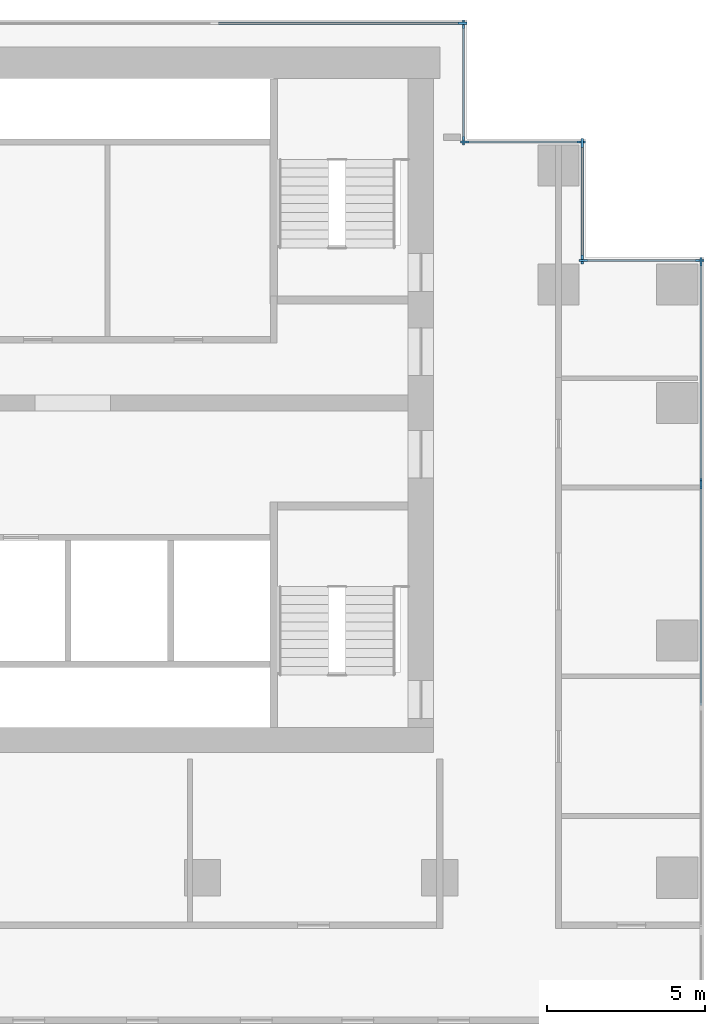
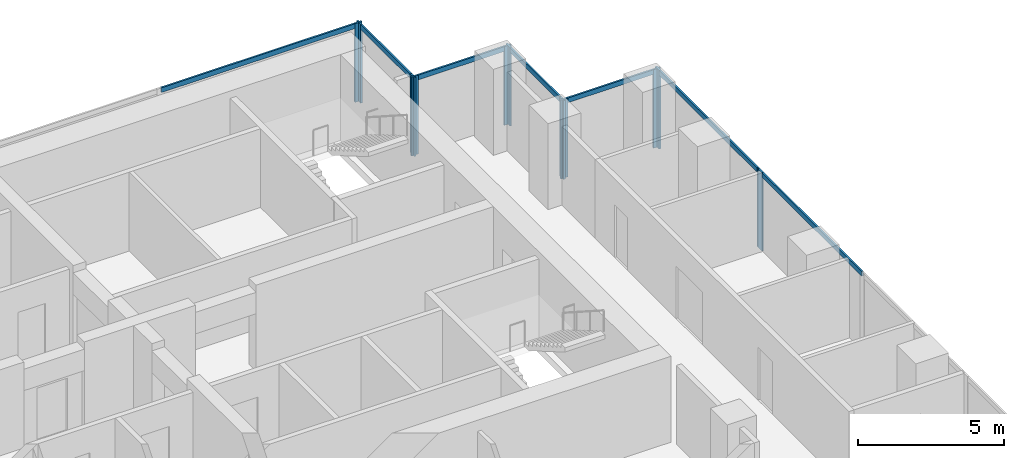
# One storey, part 5 of 10: 19 members, 7 elements without a shape of their own.
"""IFC4 building model written with IfcOpenShell, lengths in metres."""

from ifc_helpers import new_model, si_unit, direction, frame, origin, origin_2d, place, context, subcontext, project, spatial, rectangle, extrude, material, material_profile, profile_set, type_object, element, aggregate, save


model = new_model("IFC4")

# Units and contexts
model_context = context("Model", 3, precision=1e-05, world=origin(), true_north=direction((0.0, 1.0)))
body_context = subcontext(model_context, "Body", "Model", "MODEL_VIEW")
ifc_project = project(units=[si_unit("LENGTHUNIT", "METRE"), si_unit("AREAUNIT", "SQUARE_METRE"), si_unit("VOLUMEUNIT", "CUBIC_METRE"), si_unit("PLANEANGLEUNIT", "RADIAN"), si_unit("MASSUNIT", "GRAM", prefix="KILO")], contexts=[model_context])

# Site, building, storey
site_placement = place(None, origin())
site = spatial("IfcSite", under=ifc_project, at=site_placement, CompositionType="ELEMENT")
building_placement = place(site_placement, origin())
building = spatial("IfcBuilding", under=site, at=building_placement, Name="Pilkhan Gate Tower", CompositionType="ELEMENT")
storey_placement = place(building_placement, frame((0.0, 0.0, 107.199951171875)))
storey = spatial("IfcBuildingStorey", under=building, at=storey_placement, Name="L26", CompositionType="ELEMENT", Elevation=107.199951171875)

# Curtain wall, member
ifc_material_1 = material(Name="Pale anodised aluminium, clear low-iron double glazing", Category="aluminium")
curtain_wall_type = type_object("IfcCurtainWallType", Name="Office unitised curtain wall CW-O1", PredefinedType="USERDEFINED", material=ifc_material_1)
curtain_wall_1_placement = place(storey_placement, origin())
curtain_wall_1 = element("IfcCurtainWall", 1, at=curtain_wall_1_placement, inside=storey, type_object=curtain_wall_type, Name="Office unitised curtain wall CW-O1 L26 E", ObjectType="UNITISED CURTAIN WALL", PredefinedType="USERDEFINED")
ifc_material_2 = material(Name="Pale anodised aluminium", Category="aluminium")
ifc_material_profile_1 = material_profile(ifc_material_2, rectangle(XDim=0.070068359375, YDim=0.27490234375, at=origin_2d()), Name="Mullion 275x70")
ifc_profile_set_1 = profile_set([ifc_material_profile_1], Name="Pale anodised aluminium")
member_type_1 = type_object("IfcMemberType", Name="Mullion CW-O1 275x70", PredefinedType="MULLION", material=ifc_profile_set_1)
member_1_placement = place(storey_placement, frame((98.25, 79.9150390625, 0.0), z_axis=(0.0, 0.0, 1.0), x_axis=(-1.0, 0.0, 0.0)))
member_1 = element("IfcMember", 2, at=member_1_placement, type_object=member_type_1, Name="CW-O1 mullion 3", PredefinedType="MULLION", context=body_context, shape_type="SweptSolid", body=[
    extrude(rectangle(XDim=0.070068359375, YDim=0.27490234375, at=origin_2d()), origin(), (0.0, 0.0, 1.0), 3.300048828125),
])

# Curtain wall, members
curtain_wall_2_placement = place(storey_placement, origin())
curtain_wall_2 = element("IfcCurtainWall", 3, at=curtain_wall_2_placement, inside=storey, type_object=curtain_wall_type, Name="Office unitised curtain wall CW-O1 L26 E", ObjectType="UNITISED CURTAIN WALL", PredefinedType="USERDEFINED")
member_2_placement = place(storey_placement, frame((98.25, 79.985107421875, 0.0), z_axis=(0.0, 0.0, 1.0), x_axis=(-1.0, 0.0, 0.0)))
member_2 = element("IfcMember", 4, at=member_2_placement, type_object=member_type_1, Name="CW-O1 mullion 1", PredefinedType="MULLION", context=body_context, shape_type="SweptSolid", body=[
    extrude(rectangle(XDim=0.070068359375, YDim=0.27490234375, at=origin_2d()), origin(), (0.0, 0.0, 1.0), 3.300048828125),
])
member_3_placement = place(storey_placement, frame((98.25, 86.965087890625, 0.0), z_axis=(0.0, 0.0, 1.0), x_axis=(-1.0, 0.0, 0.0)))
member_3 = element("IfcMember", 5, at=member_3_placement, type_object=member_type_1, Name="CW-O1 mullion 2", PredefinedType="MULLION", context=body_context, shape_type="SweptSolid", body=[
    extrude(rectangle(XDim=0.070068359375, YDim=0.27490234375, at=origin_2d()), origin(), (0.0, 0.0, 1.0), 3.300048828125),
])

curtain_wall_3_placement = place(storey_placement, origin())
curtain_wall_3 = element("IfcCurtainWall", 6, at=curtain_wall_3_placement, inside=storey, type_object=curtain_wall_type, Name="Office unitised curtain wall CW-O1 L26 N", ObjectType="UNITISED CURTAIN WALL", PredefinedType="USERDEFINED")
member_4_placement = place(storey_placement, frame((94.534912109375, 87.0, 0.0), z_axis=(0.0, 0.0, 1.0), x_axis=(0.0, 1.0, 0.0)))
member_4 = element("IfcMember", 7, at=member_4_placement, type_object=member_type_1, Name="CW-O1 mullion 1", PredefinedType="MULLION", context=body_context, shape_type="SweptSolid", body=[
    extrude(rectangle(XDim=0.070068359375, YDim=0.27490234375, at=origin_2d()), origin(), (0.0, 0.0, 1.0), 3.300048828125),
])
member_5_placement = place(storey_placement, frame((98.215087890625, 87.0, 0.0), z_axis=(0.0, 0.0, 1.0), x_axis=(0.0, 1.0, 0.0)))
member_5 = element("IfcMember", 8, at=member_5_placement, type_object=member_type_1, Name="CW-O1 mullion 2", PredefinedType="MULLION", context=body_context, shape_type="SweptSolid", body=[
    extrude(rectangle(XDim=0.070068359375, YDim=0.27490234375, at=origin_2d()), origin(), (0.0, 0.0, 1.0), 3.300048828125),
])

curtain_wall_4_placement = place(storey_placement, origin())
curtain_wall_4 = element("IfcCurtainWall", 9, at=curtain_wall_4_placement, inside=storey, type_object=curtain_wall_type, Name="Office unitised curtain wall CW-O1 L26 E", ObjectType="UNITISED CURTAIN WALL", PredefinedType="USERDEFINED")
member_6_placement = place(storey_placement, frame((94.5, 87.034912109375, 0.0), z_axis=(0.0, 0.0, 1.0), x_axis=(-1.0, 0.0, 0.0)))
member_6 = element("IfcMember", 10, at=member_6_placement, type_object=member_type_1, Name="CW-O1 mullion 1", PredefinedType="MULLION", context=body_context, shape_type="SweptSolid", body=[
    extrude(rectangle(XDim=0.070068359375, YDim=0.27490234375, at=origin_2d()), origin(), (0.0, 0.0, 1.0), 3.300048828125),
])
member_7_placement = place(storey_placement, frame((94.5, 90.715087890625, 0.0), z_axis=(0.0, 0.0, 1.0), x_axis=(-1.0, 0.0, 0.0)))
member_7 = element("IfcMember", 11, at=member_7_placement, type_object=member_type_1, Name="CW-O1 mullion 2", PredefinedType="MULLION", context=body_context, shape_type="SweptSolid", body=[
    extrude(rectangle(XDim=0.070068359375, YDim=0.27490234375, at=origin_2d()), origin(), (0.0, 0.0, 1.0), 3.300048828125),
])

curtain_wall_5_placement = place(storey_placement, origin())
curtain_wall_5 = element("IfcCurtainWall", 12, at=curtain_wall_5_placement, inside=storey, type_object=curtain_wall_type, Name="Office unitised curtain wall CW-O1 L26 N", ObjectType="UNITISED CURTAIN WALL", PredefinedType="USERDEFINED")
member_8_placement = place(storey_placement, frame((90.784912109375, 90.75, 0.0), z_axis=(0.0, 0.0, 1.0), x_axis=(0.0, 1.0, 0.0)))
member_8 = element("IfcMember", 13, at=member_8_placement, type_object=member_type_1, Name="CW-O1 mullion 1", PredefinedType="MULLION", context=body_context, shape_type="SweptSolid", body=[
    extrude(rectangle(XDim=0.070068359375, YDim=0.27490234375, at=origin_2d()), origin(), (0.0, 0.0, 1.0), 3.300048828125),
])
member_9_placement = place(storey_placement, frame((94.465087890625, 90.75, 0.0), z_axis=(0.0, 0.0, 1.0), x_axis=(0.0, 1.0, 0.0)))
member_9 = element("IfcMember", 14, at=member_9_placement, type_object=member_type_1, Name="CW-O1 mullion 2", PredefinedType="MULLION", context=body_context, shape_type="SweptSolid", body=[
    extrude(rectangle(XDim=0.070068359375, YDim=0.27490234375, at=origin_2d()), origin(), (0.0, 0.0, 1.0), 3.300048828125),
])

curtain_wall_6_placement = place(storey_placement, origin())
curtain_wall_6 = element("IfcCurtainWall", 15, at=curtain_wall_6_placement, inside=storey, type_object=curtain_wall_type, Name="Office unitised curtain wall CW-O1 L26 E", ObjectType="UNITISED CURTAIN WALL", PredefinedType="USERDEFINED")
member_10_placement = place(storey_placement, frame((90.75, 90.784912109375, 0.0), z_axis=(0.0, 0.0, 1.0), x_axis=(-1.0, 0.0, 0.0)))
member_10 = element("IfcMember", 16, at=member_10_placement, type_object=member_type_1, Name="CW-O1 mullion 1", PredefinedType="MULLION", context=body_context, shape_type="SweptSolid", body=[
    extrude(rectangle(XDim=0.070068359375, YDim=0.27490234375, at=origin_2d()), origin(), (0.0, 0.0, 1.0), 3.300048828125),
])
member_11_placement = place(storey_placement, frame((90.75, 94.465087890625, 0.0), z_axis=(0.0, 0.0, 1.0), x_axis=(-1.0, 0.0, 0.0)))
member_11 = element("IfcMember", 17, at=member_11_placement, type_object=member_type_1, Name="CW-O1 mullion 2", PredefinedType="MULLION", context=body_context, shape_type="SweptSolid", body=[
    extrude(rectangle(XDim=0.070068359375, YDim=0.27490234375, at=origin_2d()), origin(), (0.0, 0.0, 1.0), 3.300048828125),
])

# Curtain wall, member
curtain_wall_7_placement = place(storey_placement, origin())
curtain_wall_7 = element("IfcCurtainWall", 18, at=curtain_wall_7_placement, inside=storey, type_object=curtain_wall_type, Name="Office unitised curtain wall CW-O1 L26 N", ObjectType="UNITISED CURTAIN WALL", PredefinedType="USERDEFINED")
member_12_placement = place(storey_placement, frame((90.715087890625, 94.5, 0.0), z_axis=(0.0, 0.0, 1.0), x_axis=(0.0, 1.0, 0.0)))
member_12 = element("IfcMember", 19, at=member_12_placement, type_object=member_type_1, Name="CW-O1 mullion 3", PredefinedType="MULLION", context=body_context, shape_type="SweptSolid", body=[
    extrude(rectangle(XDim=0.070068359375, YDim=0.27490234375, at=origin_2d()), origin(), (0.0, 0.0, 1.0), 3.300048828125),
])

# Member
ifc_material_profile_2 = material_profile(ifc_material_2, rectangle(XDim=0.070068359375, YDim=0.199951171875, at=origin_2d()), Name="Transom 200x70")
ifc_profile_set_2 = profile_set([ifc_material_profile_2], Name="Pale anodised aluminium")
member_type_2 = type_object("IfcMemberType", Name="Transom CW-O1 200x70", PredefinedType="USERDEFINED", material=ifc_profile_set_2)
member_13_placement = place(storey_placement, frame((98.25, 72.93505859375, 3.199951171875), z_axis=(0.0, 1.0, 0.0), x_axis=(-1.0, 0.0, 0.0)))
member_13 = element("IfcMember", 20, at=member_13_placement, type_object=member_type_2, Name="CW-O1 transom 2", ObjectType="TRANSOM", PredefinedType="USERDEFINED", context=body_context, shape_type="SweptSolid", body=[
    extrude(rectangle(XDim=0.070068359375, YDim=0.199951171875, at=origin_2d()), origin(), (0.0, 0.0, 1.0), 6.94482421875),
])

aggregate(curtain_wall_1, [member_1, member_13])

member_14_placement = place(storey_placement, frame((98.25, 80.02001953125, 3.199951171875), z_axis=(0.0, 1.0, 0.0), x_axis=(-1.0, 0.0, 0.0)))
member_14 = element("IfcMember", 21, at=member_14_placement, type_object=member_type_2, Name="CW-O1 transom 1", ObjectType="TRANSOM", PredefinedType="USERDEFINED", context=body_context, shape_type="SweptSolid", body=[
    extrude(rectangle(XDim=0.070068359375, YDim=0.199951171875, at=origin_2d()), origin(), (0.0, 0.0, 1.0), 6.909912109375),
])

aggregate(curtain_wall_2, [member_2, member_3, member_14])

member_15_placement = place(storey_placement, frame((94.570068359375, 87.0, 3.199951171875), z_axis=(1.0, 0.0, 0.0), x_axis=(0.0, 1.0, 0.0)))
member_15 = element("IfcMember", 22, at=member_15_placement, type_object=member_type_2, Name="CW-O1 transom 1", ObjectType="TRANSOM", PredefinedType="USERDEFINED", context=body_context, shape_type="SweptSolid", body=[
    extrude(rectangle(XDim=0.070068359375, YDim=0.199951171875, at=origin_2d()), origin(), (0.0, 0.0, 1.0), 3.60986328125),
])

aggregate(curtain_wall_3, [member_4, member_5, member_15])

member_16_placement = place(storey_placement, frame((94.5, 87.070068359375, 3.199951171875), z_axis=(0.0, 1.0, 0.0), x_axis=(-1.0, 0.0, 0.0)))
member_16 = element("IfcMember", 23, at=member_16_placement, type_object=member_type_2, Name="CW-O1 transom 1", ObjectType="TRANSOM", PredefinedType="USERDEFINED", context=body_context, shape_type="SweptSolid", body=[
    extrude(rectangle(XDim=0.070068359375, YDim=0.199951171875, at=origin_2d()), origin(), (0.0, 0.0, 1.0), 3.60986328125),
])

aggregate(curtain_wall_4, [member_6, member_7, member_16])

member_17_placement = place(storey_placement, frame((90.820068359375, 90.75, 3.199951171875), z_axis=(1.0, 0.0, 0.0), x_axis=(0.0, 1.0, 0.0)))
member_17 = element("IfcMember", 24, at=member_17_placement, type_object=member_type_2, Name="CW-O1 transom 1", ObjectType="TRANSOM", PredefinedType="USERDEFINED", context=body_context, shape_type="SweptSolid", body=[
    extrude(rectangle(XDim=0.070068359375, YDim=0.199951171875, at=origin_2d()), origin(), (0.0, 0.0, 1.0), 3.60986328125),
])

aggregate(curtain_wall_5, [member_8, member_9, member_17])

member_18_placement = place(storey_placement, frame((90.75, 90.820068359375, 3.199951171875), z_axis=(0.0, 1.0, 0.0), x_axis=(-1.0, 0.0, 0.0)))
member_18 = element("IfcMember", 25, at=member_18_placement, type_object=member_type_2, Name="CW-O1 transom 1", ObjectType="TRANSOM", PredefinedType="USERDEFINED", context=body_context, shape_type="SweptSolid", body=[
    extrude(rectangle(XDim=0.070068359375, YDim=0.199951171875, at=origin_2d()), origin(), (0.0, 0.0, 1.0), 3.60986328125),
])

aggregate(curtain_wall_6, [member_10, member_11, member_18])

member_19_placement = place(storey_placement, frame((82.909912109375, 94.5, 3.199951171875), z_axis=(1.0, 0.0, 0.0), x_axis=(0.0, 1.0, 0.0)))
member_19 = element("IfcMember", 26, at=member_19_placement, type_object=member_type_2, Name="CW-O1 transom 2", ObjectType="TRANSOM", PredefinedType="USERDEFINED", context=body_context, shape_type="SweptSolid", body=[
    extrude(rectangle(XDim=0.070068359375, YDim=0.199951171875, at=origin_2d()), origin(), (0.0, 0.0, 1.0), 7.77001953125),
])

aggregate(curtain_wall_7, [member_12, member_19])

save(model, "model.ifc")
